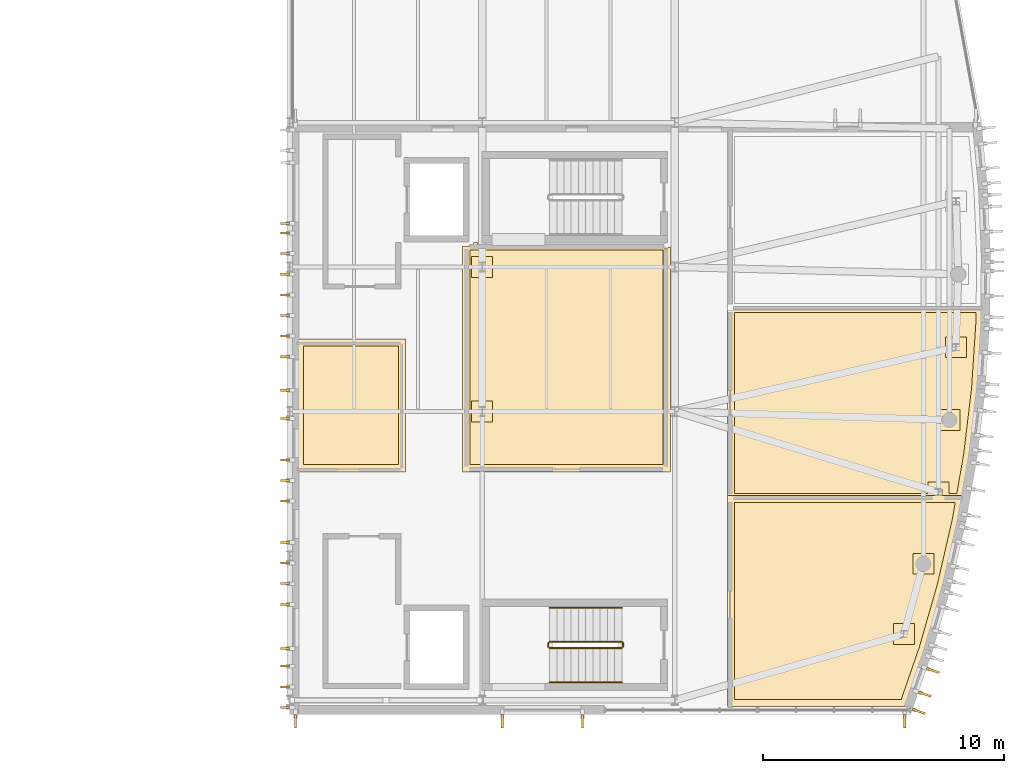
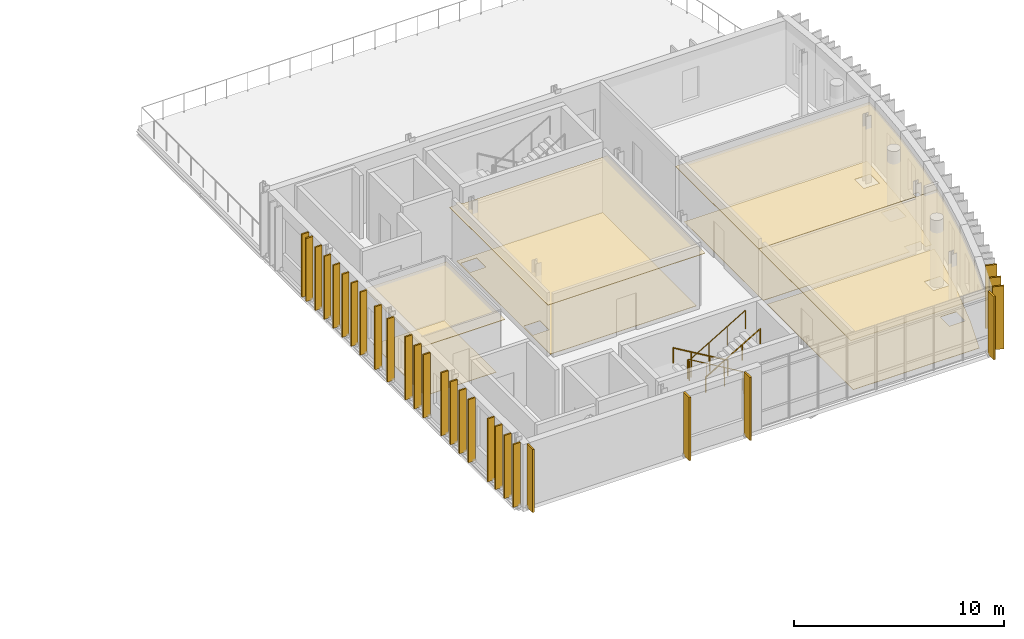
# One storey, part 38 of 40: 36 coverings, 6 railings.
"""IFC4 building model written with IfcOpenShell, lengths in metres."""

from ifc_helpers import new_model, si_unit, direction, frame, origin, origin_2d, place, context, subcontext, project, spatial, polyline, rectangle, circle, outline, extrude, material, layer, layer_set, type_object, element, save


model = new_model("IFC4")

# Units and contexts
model_context = context("Model", 3, precision=1e-05, world=origin(), true_north=direction((0.0, 1.0)))
body_context = subcontext(model_context, "Body", "Model", "MODEL_VIEW")
ifc_project = project(units=[si_unit("LENGTHUNIT", "METRE"), si_unit("AREAUNIT", "SQUARE_METRE"), si_unit("VOLUMEUNIT", "CUBIC_METRE"), si_unit("PLANEANGLEUNIT", "RADIAN"), si_unit("MASSUNIT", "GRAM", prefix="KILO")], contexts=[model_context])

# Site, building, storey
site_placement = place(None, origin())
site = spatial("IfcSite", under=ifc_project, at=site_placement, CompositionType="ELEMENT")
building_placement = place(site_placement, origin())
building = spatial("IfcBuilding", under=site, at=building_placement, Name="Cymarion Research Institute", CompositionType="ELEMENT")
storey_placement = place(building_placement, frame((0.0, 0.0, 26.699951171875)))
storey = spatial("IfcBuildingStorey", under=building, at=storey_placement, Name="L06", CompositionType="ELEMENT", Elevation=26.699951171875)

# Coverings
ifc_material_1 = material(Name="Micro-perforated mineral acoustic ceiling tile", Category="gypsum")
ifc_layer_1 = layer(ifc_material_1, 0.030029296875)
ifc_layer_set_1 = layer_set([ifc_layer_1], Name="Micro-perforated mineral acoustic ceiling tile")
covering_type_1 = type_object("IfcCoveringType", Name="ACOUSTIC MICRO-PERFORATED SUSPENDED CEILING CLG-01", PredefinedType="CEILING", material=ifc_layer_set_1)
covering_1_placement = place(storey_placement, frame((0.0, 0.0, 3.130126953125)))
element("IfcCovering", 1, at=covering_1_placement, inside=storey, type_object=covering_type_1, Name="L06 L06 Computational Biology Write-Up Studio acoustic ceiling", PredefinedType="CEILING", context=body_context, shape_type="SweptSolid", body=[
    extrude(outline(polyline([(143.4150390625, 20.514892578125), (143.4150390625, 14.985107421875), (138.885009765625, 14.985107421875), (138.885009765625, 20.514892578125), (143.4150390625, 20.514892578125)])), origin(), (0.0, 0.0, 1.0), 0.030029296875),
])
covering_2_placement = place(storey_placement, frame((0.0, 0.0, 3.130126953125)))
element("IfcCovering", 2, at=covering_2_placement, inside=storey, type_object=covering_type_1, Name="L06 L06 High-Throughput Screening & Cell Culture Lab acoustic ceiling", PredefinedType="CEILING", context=body_context, shape_type="SweptSolid", body=[
    extrude(outline(polyline([(146.39990234375, 24.514892578125), (146.39990234375, 24.5), (146.40087890625, 24.48046875), (146.40380859375, 24.4609375), (146.40869140625, 24.44189453125), (146.415283203125, 24.423583984375), (146.423583984375, 24.40576171875), (146.43359375, 24.388916015625), (146.4453125, 24.373046875), (146.45849609375, 24.358642578125), (146.47314453125, 24.345458984375), (146.489013671875, 24.333740234375), (146.505615234375, 24.323486328125), (146.5234375, 24.315185546875), (146.5419921875, 24.30859375), (146.56103515625, 24.3037109375), (146.580322265625, 24.301025390625), (146.60009765625, 24.300048828125), (154.300048828125, 24.300048828125), (154.319580078125, 24.301025390625), (154.339111328125, 24.3037109375), (154.358154296875, 24.30859375), (154.37646484375, 24.315185546875), (154.394287109375, 24.323486328125), (154.4111328125, 24.333740234375), (154.4150390625, 24.336669921875), (154.4150390625, 14.985107421875), (145.784912109375, 14.985107421875), (145.784912109375, 24.35009765625), (146.050048828125, 24.35009765625), (146.069580078125, 24.35107421875), (146.089111328125, 24.353759765625), (146.108154296875, 24.358642578125), (146.12646484375, 24.365234375), (146.144287109375, 24.37353515625), (146.1611328125, 24.3837890625), (146.177001953125, 24.3955078125), (146.19140625, 24.40869140625), (146.20458984375, 24.423095703125), (146.21630859375, 24.43896484375), (146.226318359375, 24.455810546875), (146.23486328125, 24.473388671875), (146.241455078125, 24.491943359375), (146.24609375, 24.510986328125), (146.246826171875, 24.514892578125), (146.39990234375, 24.514892578125)])), origin(), (0.0, 0.0, 1.0), 0.030029296875),
])
covering_3_placement = place(storey_placement, frame((0.0, 0.0, 3.130126953125)))
element("IfcCovering", 3, at=covering_3_placement, inside=storey, type_object=covering_type_1, Name="L06 L06 Tower Wet Biochemistry & Proteomics Laboratory acoustic ceiling", PredefinedType="CEILING", context=body_context, shape_type="SweptSolid", body=[
    extrude(outline(polyline([(166.611572265625, 14.014892578125), (166.427734375, 12.961181640625), (165.808349609375, 10.266845703125), (165.0458984375, 7.609619140625), (164.224853515625, 5.235107421875), (156.784912109375, 5.235107421875), (156.784912109375, 14.014892578125), (166.611572265625, 14.014892578125)])), origin(), (0.0, 0.0, 1.0), 0.030029296875),
])
covering_4_placement = place(storey_placement, frame((0.0, 0.0, 3.130126953125)))
element("IfcCovering", 4, at=covering_4_placement, inside=storey, type_object=covering_type_1, Name="L06 L06 Confocal Microscopy & Genomics Laboratory acoustic ceiling", PredefinedType="CEILING", context=body_context, shape_type="SweptSolid", body=[
    extrude(outline(polyline([(167.421142578125, 21.9150390625), (167.412109375, 21.18798828125), (167.23095703125, 18.429443359375), (166.902587890625, 15.6845703125), (166.5712890625, 13.784912109375), (165.69482421875, 13.784912109375), (165.69482421875, 14.276611328125), (165.4248046875, 14.276611328125), (165.4248046875, 13.784912109375), (156.784912109375, 13.784912109375), (156.784912109375, 21.9150390625), (167.421142578125, 21.9150390625)])), origin(), (0.0, 0.0, 1.0), 0.030029296875),
])
ifc_material_2 = material(Name="Precast concrete C45/55 architectural white", Category="concrete")
ifc_layer_2 = layer(ifc_material_2, 0.090087890625)
ifc_layer_set_2 = layer_set([ifc_layer_2], Name="Precast concrete C45/55 architectural white")
covering_type_2 = type_object("IfcCoveringType", Name="ARCHITECTURAL WHITE PRECAST CONCRETE VERTICAL FIN FIN1 560MM", PredefinedType="CLADDING", material=ifc_layer_set_2)
for number, where, z_axis, x_axis, name in (
    (5, (138.840087890625, 4.617919921875, 0.01025390625), (0.0, 0.0, 1.0), (0.0, -1.0, 0.0), "L06 V1 white precast vertical fin FIN1 #601"),
    (6, (147.430908203125, 4.617919921875, 0.01025390625), (0.0, 0.0, 1.0), (0.0, -1.0, 0.0), "L06 V1 white precast vertical fin FIN1 #602"),
    (7, (150.77099609375, 4.617919921875, 0.01025390625), (0.0, 0.0, 1.0), (0.0, -1.0, 0.0), "L06 V1 white precast vertical fin FIN1 #603"),
    (8, (164.159912109375, 4.617919921875, 0.01025390625), (0.0, 0.0, 1.0), (0.0, -1.0, 0.0), "L06 V1 white precast vertical fin FIN1 #604"),
    (9, (164.744873046875, 5.03466796875, 0.01025390625), (0.0, 0.0, 1.0), (0.945120113509, -0.326723080054, 0.0), "L06 V1 white precast vertical fin FIN1 #605"),
    (10, (164.991943359375, 5.748779296875, 0.01025390625), (0.0, 0.0, 1.0), (0.945120113509, -0.326723080054, 0.0), "L06 V1 white precast vertical fin FIN1 #606"),
    (11, (165.331787109375, 6.731689453125, 0.01025390625), (0.0, 0.0, 1.0), (0.945120113509, -0.326723080054, 0.0), "L06 V1 white precast vertical fin FIN1 #607"),
):
    element("IfcCovering", number, at=place(storey_placement, frame(where, z_axis=z_axis, x_axis=x_axis)), inside=storey, type_object=covering_type_2, Name=name, PredefinedType="CLADDING", context=body_context, shape_type="SweptSolid", body=[
        extrude(rectangle(XDim=0.56005859375, YDim=0.090087890625, at=origin_2d()), origin(), (0.0, 0.0, 1.0), 3.659912109375),
    ])
ifc_layer_3 = layer(ifc_material_2, 0.0849609375)
ifc_layer_set_3 = layer_set([ifc_layer_3], Name="Precast concrete C45/55 architectural white")
covering_type_3 = type_object("IfcCoveringType", Name="ARCHITECTURAL WHITE PRECAST CONCRETE VERTICAL FIN FIN3 380MM", PredefinedType="CLADDING", material=ifc_layer_set_3)
for number, where, z_axis, x_axis, name in (
    (12, (138.407958984375, 25.31396484375, 0.01025390625), (0.0, 0.0, 1.0), (-1.0, 0.0, 0.0), "L06 V1 white precast vertical fin FIN3 #646"),
    (13, (138.407958984375, 24.914306640625, 0.01025390625), (0.0, 0.0, 1.0), (-1.0, 0.0, 0.0), "L06 V1 white precast vertical fin FIN3 #647"),
    (14, (138.407958984375, 24.05712890625, 0.01025390625), (0.0, 0.0, 1.0), (-1.0, 0.0, 0.0), "L06 V1 white precast vertical fin FIN3 #648"),
    (15, (138.407958984375, 23.199951171875, 0.01025390625), (0.0, 0.0, 1.0), (-1.0, 0.0, 0.0), "L06 V1 white precast vertical fin FIN3 #649"),
    (16, (138.407958984375, 22.343017578125, 0.01025390625), (0.0, 0.0, 1.0), (-1.0, 0.0, 0.0), "L06 V1 white precast vertical fin FIN3 #650"),
    (17, (138.407958984375, 21.485595703125, 0.01025390625), (0.0, 0.0, 1.0), (-1.0, 0.0, 0.0), "L06 V1 white precast vertical fin FIN3 #651"),
    (18, (138.407958984375, 20.628662109375, 0.01025390625), (0.0, 0.0, 1.0), (-1.0, 0.0, 0.0), "L06 V1 white precast vertical fin FIN3 #652"),
    (19, (138.407958984375, 19.771484375, 0.01025390625), (0.0, 0.0, 1.0), (-1.0, 0.0, 0.0), "L06 V1 white precast vertical fin FIN3 #653"),
    (20, (138.407958984375, 18.3798828125, 0.01025390625), (0.0, 0.0, 1.0), (-1.0, 0.0, 0.0), "L06 V1 white precast vertical fin FIN3 #654"),
    (21, (138.407958984375, 17.199951171875, 0.01025390625), (0.0, 0.0, 1.0), (-1.0, 0.0, 0.0), "L06 V1 white precast vertical fin FIN3 #655"),
    (22, (138.407958984375, 15.485595703125, 0.01025390625), (0.0, 0.0, 1.0), (-1.0, 0.0, 0.0), "L06 V1 white precast vertical fin FIN3 #656"),
    (23, (138.407958984375, 14.628662109375, 0.01025390625), (0.0, 0.0, 1.0), (-1.0, 0.0, 0.0), "L06 V1 white precast vertical fin FIN3 #657"),
    (24, (138.407958984375, 13.771484375, 0.01025390625), (0.0, 0.0, 1.0), (-1.0, 0.0, 0.0), "L06 V1 white precast vertical fin FIN3 #658"),
    (25, (138.407958984375, 12.05712890625, 0.01025390625), (0.0, 0.0, 1.0), (-1.0, 0.0, 0.0), "L06 V1 white precast vertical fin FIN3 #659"),
    (26, (138.407958984375, 11.199951171875, 0.01025390625), (0.0, 0.0, 1.0), (-1.0, 0.0, 0.0), "L06 V1 white precast vertical fin FIN3 #660"),
    (27, (138.407958984375, 10.343017578125, 0.01025390625), (0.0, 0.0, 1.0), (-1.0, 0.0, 0.0), "L06 V1 white precast vertical fin FIN3 #661"),
    (28, (138.407958984375, 9.485595703125, 0.01025390625), (0.0, 0.0, 1.0), (-1.0, 0.0, 0.0), "L06 V1 white precast vertical fin FIN3 #662"),
    (29, (138.407958984375, 7.64990234375, 0.01025390625), (0.0, 0.0, 1.0), (-1.0, 0.0, 0.0), "L06 V1 white precast vertical fin FIN3 #663"),
    (30, (138.407958984375, 6.914306640625, 0.01025390625), (0.0, 0.0, 1.0), (-1.0, 0.0, 0.0), "L06 V1 white precast vertical fin FIN3 #664"),
    (31, (138.407958984375, 6.05712890625, 0.01025390625), (0.0, 0.0, 1.0), (-1.0, 0.0, 0.0), "L06 V1 white precast vertical fin FIN3 #665"),
    (32, (138.407958984375, 5.199951171875, 0.01025390625), (0.0, 0.0, 1.0), (-1.0, 0.0, 0.0), "L06 V1 white precast vertical fin FIN3 #666"),
):
    element("IfcCovering", number, at=place(storey_placement, frame(where, z_axis=z_axis, x_axis=x_axis)), inside=storey, type_object=covering_type_3, Name=name, PredefinedType="CLADDING", context=body_context, shape_type="SweptSolid", body=[
        extrude(rectangle(XDim=0.3798828125, YDim=0.0849609375, at=origin_2d()), origin(), (0.0, 0.0, 1.0), 3.659912109375),
    ])

# Railings
ifc_material_3 = material(Name="Steel S355", Category="steel")
railing_type_1 = type_object("IfcRailingType", Name="PAINTED STEEL STAIR GUARDRAIL GR1 1100MM", PredefinedType="GUARDRAIL", material=ifc_material_3)
railing_1_placement = place(storey_placement, frame((152.39990234375, 7.929931640625, 0.17724609375)))
element("IfcRailing", 33, at=railing_1_placement, inside=storey, type_object=railing_type_1, Name="L06 ST1 stair guard 1", PredefinedType="GUARDRAIL", context=body_context, shape_type="SweptSolid", body=[
    extrude(circle(Radius=0.02392578125, at=origin_2d()), frame((0.0, 0.0, 1.076171875), z_axis=(-0.86092931783, 0.0, 0.508724591208), x_axis=(0.0, -1.0, 0.0)), (0.0, 0.0, 1.0), 3.484619140625),
    extrude(circle(Radius=0.02099609375, at=origin_2d()), origin(), (0.0, 0.0, 1.0), 1.052001953125),
    extrude(circle(Radius=0.02099609375, at=origin_2d()), frame((-1.0, 0.0, 0.5908203125)), (0.0, 0.0, 1.0), 1.052001953125),
    extrude(circle(Radius=0.02099609375, at=origin_2d()), frame((-2.0, 0.0, 1.181884765625)), (0.0, 0.0, 1.0), 1.052001953125),
    extrude(circle(Radius=0.02099609375, at=origin_2d()), frame((-3.0, 0.0, 1.772705078125)), (0.0, 0.0, 1.0), 1.052001953125),
])
railing_2_placement = place(storey_placement, frame((149.35009765625, 7.8798828125, 1.949951171875)))
element("IfcRailing", 34, at=railing_2_placement, inside=storey, type_object=railing_type_1, Name="L06 ST1 stair guard 2", PredefinedType="GUARDRAIL", context=body_context, shape_type="SweptSolid", body=[
    extrude(circle(Radius=0.02392578125, at=origin_2d()), frame((0.0, 0.0, 1.076171875), z_axis=(0.0, -1.0, 0.0), x_axis=(1.0, 0.0, 0.0)), (0.0, 0.0, 1.0), 0.159912109375),
    extrude(circle(Radius=0.02099609375, at=origin_2d()), origin(), (0.0, 0.0, 1.0), 1.052001953125),
    extrude(circle(Radius=0.02099609375, at=origin_2d()), frame((0.0, -0.159912109375, 0.0)), (0.0, 0.0, 1.0), 1.052001953125),
])
railing_3_placement = place(storey_placement, frame((149.39990234375, 7.669921875, 2.12744140625)))
element("IfcRailing", 35, at=railing_3_placement, inside=storey, type_object=railing_type_1, Name="L06 ST1 stair guard 3", PredefinedType="GUARDRAIL", context=body_context, shape_type="SweptSolid", body=[
    extrude(circle(Radius=0.02392578125, at=origin_2d()), frame((0.0, 0.0, 1.076171875), z_axis=(0.86092931783, 0.0, 0.508724591208), x_axis=(0.0, 1.0, 0.0)), (0.0, 0.0, 1.0), 3.484619140625),
    extrude(circle(Radius=0.02099609375, at=origin_2d()), origin(), (0.0, 0.0, 1.0), 1.052001953125),
    extrude(circle(Radius=0.02099609375, at=origin_2d()), frame((1.0, 0.0, 0.5908203125)), (0.0, 0.0, 1.0), 1.052001953125),
    extrude(circle(Radius=0.02099609375, at=origin_2d()), frame((2.0, 0.0, 1.181884765625)), (0.0, 0.0, 1.0), 1.052001953125),
    extrude(circle(Radius=0.02099609375, at=origin_2d()), frame((3.0, 0.0, 1.772705078125)), (0.0, 0.0, 1.0), 1.052001953125),
])
railing_4_placement = place(storey_placement, frame((152.449951171875, 7.8798828125, 0.0)))
element("IfcRailing", 36, at=railing_4_placement, inside=storey, type_object=railing_type_1, Name="L06 ST1 stair guard 4", PredefinedType="GUARDRAIL", context=body_context, shape_type="SweptSolid", body=[
    extrude(circle(Radius=0.02392578125, at=origin_2d()), frame((0.0, 0.0, 1.076171875), z_axis=(0.0, -1.0, 0.0), x_axis=(1.0, 0.0, 0.0)), (0.0, 0.0, 1.0), 0.159912109375),
    extrude(circle(Radius=0.02099609375, at=origin_2d()), origin(), (0.0, 0.0, 1.0), 1.052001953125),
    extrude(circle(Radius=0.02099609375, at=origin_2d()), frame((0.0, -0.159912109375, 0.0)), (0.0, 0.0, 1.0), 1.052001953125),
])

# Coverings
ifc_material_4 = material(Name="Seamless dissipative epoxy resin flooring", Category="resin")
ifc_layer_4 = layer(ifc_material_4, 0.02001953125)
ifc_layer_set_4 = layer_set([ifc_layer_4], Name="Seamless dissipative epoxy resin flooring")
covering_type_4 = type_object("IfcCoveringType", Name="SEAMLESS ESD EPOXY LABORATORY FLOORING FLR-01", PredefinedType="FLOORING", material=ifc_layer_set_4)
covering_5_placement = place(storey_placement, origin())
element("IfcCovering", 37, at=covering_5_placement, inside=storey, type_object=covering_type_4, Name="L06 L06 Computational Biology Write-Up Studio ESD epoxy flooring", PredefinedType="FLOORING", context=body_context, shape_type="SweptSolid", body=[
    extrude(outline(polyline([(139.18505859375, 20.215087890625), (143.114990234375, 20.215087890625), (143.114990234375, 15.284912109375), (139.18505859375, 15.284912109375), (139.18505859375, 20.215087890625)])), origin(), (0.0, 0.0, 1.0), 0.02001953125),
])
covering_6_placement = place(storey_placement, origin())
element("IfcCovering", 38, at=covering_6_placement, inside=storey, type_object=covering_type_4, Name="L06 L06 High-Throughput Screening & Cell Culture Lab ESD epoxy flooring", PredefinedType="FLOORING", context=body_context, shape_type="SweptSolid", body=[
    extrude(outline(polyline([(146.0849609375, 24.215087890625), (154.114990234375, 24.215087890625), (154.114990234375, 15.284912109375), (146.0849609375, 15.284912109375), (146.0849609375, 24.215087890625)]), holes=[polyline([(146.1650390625, 17.93505859375), (146.1650390625, 17.06494140625), (147.034912109375, 17.06494140625), (147.034912109375, 17.93505859375), (146.1650390625, 17.93505859375)]), polyline([(146.1650390625, 23.93505859375), (146.1650390625, 23.06494140625), (147.034912109375, 23.06494140625), (147.034912109375, 23.93505859375), (146.1650390625, 23.93505859375)])]), origin(), (0.0, 0.0, 1.0), 0.02001953125),
])
covering_7_placement = place(storey_placement, origin())
element("IfcCovering", 39, at=covering_7_placement, inside=storey, type_object=covering_type_4, Name="L06 L06 Tower Wet Biochemistry & Proteomics Laboratory ESD epoxy flooring", PredefinedType="FLOORING", context=body_context, shape_type="SweptSolid", body=[
    extrude(outline(polyline([(157.0849609375, 13.715087890625), (166.254638671875, 13.715087890625), (166.1337890625, 13.0205078125), (165.517822265625, 10.341796875), (164.759765625, 7.699951171875), (164.01123046875, 5.534912109375), (157.0849609375, 5.534912109375), (157.0849609375, 13.715087890625)]), holes=[polyline([(164.492919921875, 10.73779296875), (165.36279296875, 10.73779296875), (165.36279296875, 11.607666015625), (164.492919921875, 11.607666015625), (164.492919921875, 10.73779296875)]), polyline([(163.68408203125, 8.681884765625), (163.68408203125, 7.81201171875), (164.553955078125, 7.81201171875), (164.553955078125, 8.681884765625), (163.68408203125, 8.681884765625)])]), origin(), (0.0, 0.0, 1.0), 0.02001953125),
])
covering_8_placement = place(storey_placement, origin())
element("IfcCovering", 40, at=covering_8_placement, inside=storey, type_object=covering_type_4, Name="L06 L06 Confocal Microscopy & Genomics Laboratory ESD epoxy flooring", PredefinedType="FLOORING", context=body_context, shape_type="SweptSolid", body=[
    extrude(outline(polyline([(157.0849609375, 21.614990234375), (167.117431640625, 21.614990234375), (167.1123046875, 21.19970703125), (166.93212890625, 18.45703125), (166.605712890625, 15.728271484375), (166.319091796875, 14.0849609375), (165.994873046875, 14.0849609375), (165.994873046875, 14.576416015625), (165.125, 14.576416015625), (165.125, 14.0849609375), (157.0849609375, 14.0849609375), (157.0849609375, 21.614990234375)]), holes=[polyline([(165.8505859375, 20.60107421875), (165.8505859375, 19.73095703125), (166.720458984375, 19.73095703125), (166.720458984375, 20.60107421875), (165.8505859375, 20.60107421875)]), polyline([(165.577880859375, 17.577880859375), (165.577880859375, 16.707763671875), (166.447998046875, 16.707763671875), (166.447998046875, 17.577880859375), (165.577880859375, 17.577880859375)])]), origin(), (0.0, 0.0, 1.0), 0.02001953125),
])

# Railings
railing_type_2 = type_object("IfcRailingType", Name="STAINLESS STEEL STAIR HANDRAIL HR1 900MM", PredefinedType="HANDRAIL", material=ifc_material_3)
railing_5_placement = place(storey_placement, frame((152.39990234375, 9.35009765625, 0.17724609375)))
element("IfcRailing", 41, at=railing_5_placement, inside=storey, type_object=railing_type_2, Name="L06 ST1 stair handrail 1", PredefinedType="HANDRAIL", context=body_context, shape_type="SweptSolid", body=[
    extrude(circle(Radius=0.02392578125, at=origin_2d()), frame((0.0, 0.0, 0.8759765625), z_axis=(-0.86092931783, 0.0, 0.508724591208), x_axis=(0.0, -1.0, 0.0)), (0.0, 0.0, 1.0), 3.484619140625),
    extrude(circle(Radius=0.02099609375, at=origin_2d()), origin(), (0.0, 0.0, 1.0), 0.851806640625),
    extrude(circle(Radius=0.02099609375, at=origin_2d()), frame((-1.0, 0.0, 0.5908203125)), (0.0, 0.0, 1.0), 0.851806640625),
    extrude(circle(Radius=0.02099609375, at=origin_2d()), frame((-2.0, 0.0, 1.181884765625)), (0.0, 0.0, 1.0), 0.851806640625),
    extrude(circle(Radius=0.02099609375, at=origin_2d()), frame((-3.0, 0.0, 1.772705078125)), (0.0, 0.0, 1.0), 0.851806640625),
])
railing_6_placement = place(storey_placement, frame((149.39990234375, 6.25, 2.12744140625)))
element("IfcRailing", 42, at=railing_6_placement, inside=storey, type_object=railing_type_2, Name="L06 ST1 stair handrail 2", PredefinedType="HANDRAIL", context=body_context, shape_type="SweptSolid", body=[
    extrude(circle(Radius=0.02392578125, at=origin_2d()), frame((0.0, 0.0, 0.8759765625), z_axis=(0.86092931783, 0.0, 0.508724591208), x_axis=(0.0, 1.0, 0.0)), (0.0, 0.0, 1.0), 3.484619140625),
    extrude(circle(Radius=0.02099609375, at=origin_2d()), origin(), (0.0, 0.0, 1.0), 0.851806640625),
    extrude(circle(Radius=0.02099609375, at=origin_2d()), frame((1.0, 0.0, 0.5908203125)), (0.0, 0.0, 1.0), 0.851806640625),
    extrude(circle(Radius=0.02099609375, at=origin_2d()), frame((2.0, 0.0, 1.181884765625)), (0.0, 0.0, 1.0), 0.851806640625),
    extrude(circle(Radius=0.02099609375, at=origin_2d()), frame((3.0, 0.0, 1.772705078125)), (0.0, 0.0, 1.0), 0.851806640625),
])

save(model, "model.ifc")
